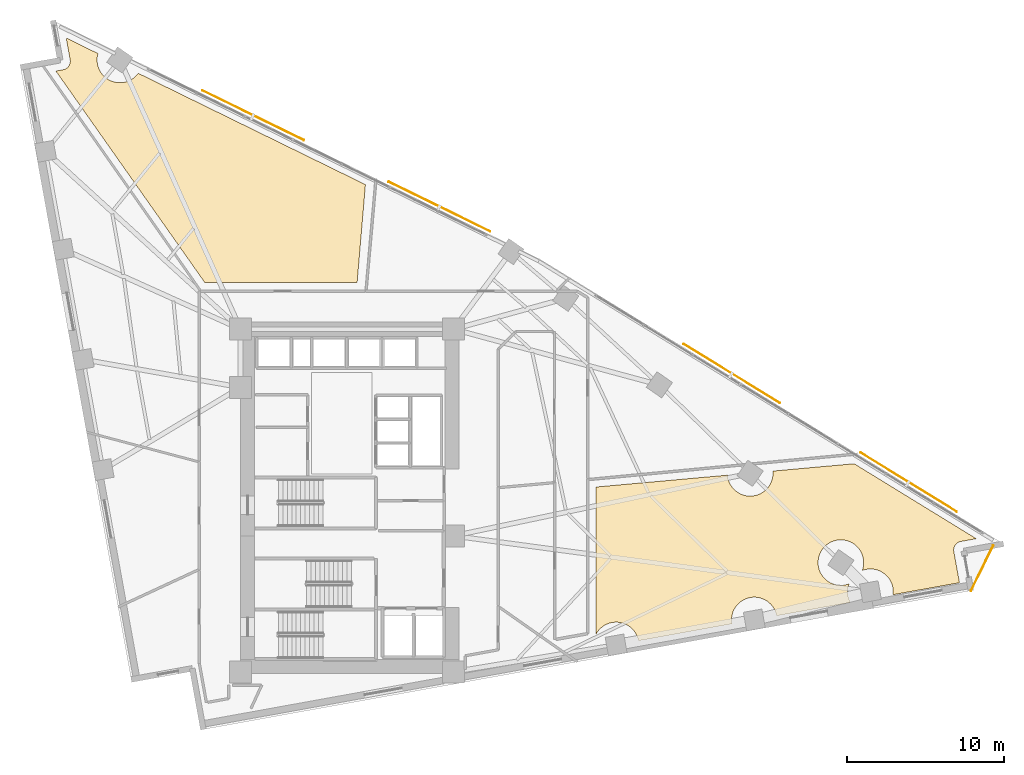
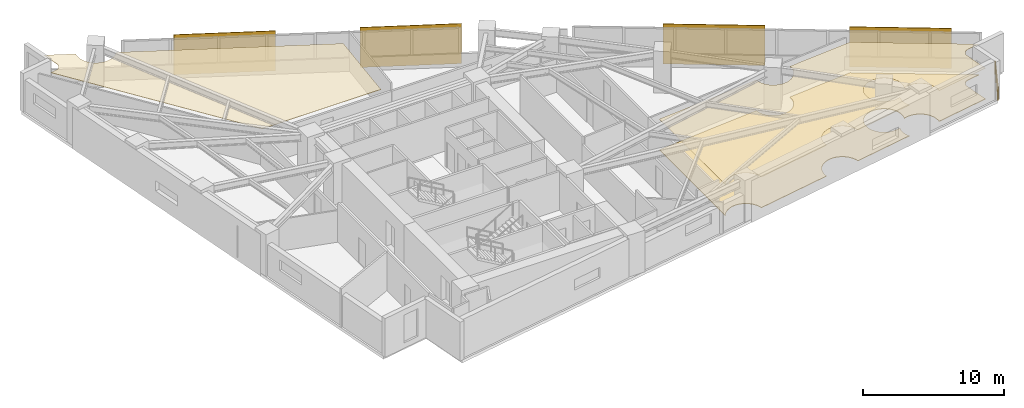
# One storey, part 18 of 18: 4 shading devices, 3 coverings, 1 railing.
"""IFC4 building model written with IfcOpenShell, lengths in metres."""

import ifcopenshell
import ifcopenshell.guid

model = None  # the IFC model being written
_history = None  # IfcOwnerHistory: only IFC2X3 demands one
_inside = {}  # id of a spatial element -> (the spatial element, [elements in it])
_under = {}  # id of a project, library or spatial element -> (it, [spatial elements below it])
_declared = {}  # id of a project -> (the project, [libraries it declares])
_typed = {}  # id of a type object -> (the type object, [elements of that type])
_made_of = {}  # id of a material, layer set ... -> (it, [elements and type objects made of it])


def new_model(schema):
    """Start an empty IFC model of exactly this schema.

    Asked for "IFC4X3", IfcOpenShell would pick the latest addendum, in which some entities
    have other attributes; the version numbers below select the first issue.
    IFC2X3 requires an IfcOwnerHistory on every rooted entity: one is made here for all.
    """
    global model, _history
    if schema == "IFC4X3":
        model = ifcopenshell.file(schema_version=(4, 3, 0, 0))
    else:
        model = ifcopenshell.file(schema=schema)
    _inside.clear()
    _under.clear()
    _declared.clear()
    _typed.clear()
    _made_of.clear()
    _history = None
    if model.schema == "IFC2X3":
        org = make("IfcOrganization", Name="unknown")
        user = make(
            "IfcPersonAndOrganization",
            ThePerson=make("IfcPerson", FamilyName="unknown"),
            TheOrganization=org,
        )
        app = make(
            "IfcApplication",
            ApplicationDeveloper=org,
            Version="unknown",
            ApplicationFullName="unknown",
            ApplicationIdentifier="unknown",
        )
        _history = make(
            "IfcOwnerHistory",
            OwningUser=user,
            OwningApplication=app,
            ChangeAction="ADDED",
            CreationDate=0,
        )
    return model


def make(cls, **values):
    """One entity of the class cls with the attributes given. An attribute that is None is left unset."""
    return model.create_entity(
        cls, **{name: value for name, value in values.items() if value is not None}
    )


def rooted(cls, **values):
    """An entity with a GlobalId (a new one), such as an element, a storey or a relation."""
    return make(cls, GlobalId=ifcopenshell.guid.new(), OwnerHistory=_history, **values)


def si_unit(unit_type, name, prefix=None):
    """IfcSIUnit, for example si_unit("LENGTHUNIT", "METRE", prefix="MILLI")."""
    return make("IfcSIUnit", UnitType=unit_type, Prefix=prefix, Name=name)


def assignment(units):
    """IfcUnitAssignment: the units of a project."""
    return None if units is None else make("IfcUnitAssignment", Units=units)


def point(xyz):
    """IfcCartesianPoint."""
    return None if xyz is None else make("IfcCartesianPoint", Coordinates=xyz)


def direction(xyz):
    """IfcDirection."""
    return None if xyz is None else make("IfcDirection", DirectionRatios=xyz)


def frame(location, z_axis=None, x_axis=None):
    """IfcAxis2Placement3D, a coordinate frame: its origin and axes. An axis left out is left unset."""
    return make(
        "IfcAxis2Placement3D",
        Location=point(location),
        Axis=direction(z_axis),
        RefDirection=direction(x_axis),
    )


def frame_2d(location, x_axis=None):
    """IfcAxis2Placement2D, a coordinate frame in the plane: its origin and x axis."""
    return make(
        "IfcAxis2Placement2D", Location=point(location), RefDirection=direction(x_axis)
    )


def origin():
    """The frame at (0, 0, 0) with its axes left unset."""
    return frame((0.0, 0.0, 0.0))


def origin_2d():
    """The frame at (0, 0) in the plane with its x axis left unset."""
    return frame_2d((0.0, 0.0))


def place(relative_to, where):
    """IfcLocalPlacement: puts the frame where relative to a parent placement (None: the world)."""
    return make(
        "IfcLocalPlacement", PlacementRelTo=relative_to, RelativePlacement=where
    )


def context(
    kind, dimensions, precision=None, world=None, true_north=None, identifier=None
):
    """IfcGeometricRepresentationContext, for example the 3D "Model" context."""
    return make(
        "IfcGeometricRepresentationContext",
        ContextIdentifier=identifier,
        ContextType=kind,
        CoordinateSpaceDimension=dimensions,
        Precision=precision,
        WorldCoordinateSystem=world,
        TrueNorth=true_north,
    )


def subcontext(parent, identifier, kind, view, scale=None):
    """IfcGeometricRepresentationSubContext, for example "Body" below "Model"."""
    return make(
        "IfcGeometricRepresentationSubContext",
        ContextIdentifier=identifier,
        ContextType=kind,
        ParentContext=parent,
        TargetScale=scale,
        TargetView=view,
    )


def project(units=None, contexts=None):
    """IfcProject with its units and contexts."""
    return rooted(
        "IfcProject",
        Name="project",
        RepresentationContexts=contexts,
        UnitsInContext=assignment(units),
    )


def spatial(cls, under=None, at=None, **own):
    """A site, building, storey or space (cls), placed at a placement, below another one or the project."""
    s = rooted(cls, ObjectPlacement=at, **own)
    if under is not None:
        _under.setdefault(under.id(), (under, []))[1].append(s)
    return s


def polyline(points):
    """IfcPolyline through the points."""
    return make("IfcPolyline", Points=[point(p) for p in points])


def profile(cls, at=None, kind="AREA", **sizes):
    """A parametric profile (cls). Its sizes go by their IFC names, for example OverallWidth=200.0."""
    return make(cls, ProfileType=kind, Position=at, **sizes)


def rectangle(**sizes):
    """IfcRectangleProfileDef."""
    return profile("IfcRectangleProfileDef", **sizes)


def circle(**sizes):
    """IfcCircleProfileDef."""
    return profile("IfcCircleProfileDef", **sizes)


def outline(outer, holes=None, kind="AREA"):
    """IfcArbitraryClosedProfileDef: a profile drawn as a closed curve; with holes, ...WithVoids."""
    if holes is None:
        return make("IfcArbitraryClosedProfileDef", ProfileType=kind, OuterCurve=outer)
    return make(
        "IfcArbitraryProfileDefWithVoids",
        ProfileType=kind,
        OuterCurve=outer,
        InnerCurves=holes,
    )


def extrude(swept, where, along, depth):
    """IfcExtrudedAreaSolid: the profile swept, set in the frame where, extruded along a direction by depth."""
    return make(
        "IfcExtrudedAreaSolid",
        SweptArea=swept,
        Position=where,
        ExtrudedDirection=direction(along),
        Depth=depth,
    )


def shape(context_of_items, identifier, shape_type, items):
    """IfcShapeRepresentation: the items that make up one representation, for example the "Body"."""
    return make(
        "IfcShapeRepresentation",
        ContextOfItems=context_of_items,
        RepresentationIdentifier=identifier,
        RepresentationType=shape_type,
        Items=items,
    )


def material(Name=None, Category=None):
    """IfcMaterial."""
    return make("IfcMaterial", Name=Name, Category=Category)


def layer(
    of_material, thickness, ventilated=None, Name=None, Category=None, Priority=None
):
    """IfcMaterialLayer: one layer of a wall or slab, of a material (None: an air gap)."""
    return make(
        "IfcMaterialLayer",
        Material=of_material,
        LayerThickness=thickness,
        IsVentilated=ventilated,
        Name=Name,
        Category=Category,
        Priority=Priority,
    )


def layer_set(layers, Name=None):
    """IfcMaterialLayerSet."""
    return make("IfcMaterialLayerSet", MaterialLayers=layers, LayerSetName=Name)


def made_of(thing, what):
    """Note that an element or type object is made of a material, layer set ...; save() writes the relation."""
    if what is not None:
        _made_of.setdefault(what.id(), (what, []))[1].append(thing)
    return thing


def type_object(cls, material=None, **own):
    """A type object (cls), such as IfcWallType, which elements share."""
    return made_of(rooted(cls, **own), material)


def element(
    cls,
    number,
    at=None,
    inside=None,
    cuts=None,
    type_object=None,
    material=None,
    context=None,
    identifier="Body",
    shape_type=None,
    held_by="IfcProductDefinitionShape",
    body=None,
    shapes=None,
    **own,
):
    """One element of the class cls, such as IfcWall. Its Tag is "e" and its number.

    at: its placement. inside: the storey or other place that contains it. cuts: it is an
    opening in that element (IfcRelVoidsElement). A single representation is given by context,
    identifier, shape_type and body (its items); several are given by shapes. held_by: the class
    of the entity that holds the representations. save() writes the other relations.
    """
    e = rooted(cls, Tag="e%d" % number, ObjectPlacement=at, **own)
    if body is not None:
        shapes = [shape(context, identifier, shape_type, body)]
    if shapes is not None:
        e.Representation = make(held_by, Representations=shapes)
    if inside is not None:
        _inside.setdefault(inside.id(), (inside, []))[1].append(e)
    if cuts is not None:
        rooted(
            "IfcRelVoidsElement", RelatingBuildingElement=cuts, RelatedOpeningElement=e
        )
    if type_object is not None:
        _typed.setdefault(type_object.id(), (type_object, []))[1].append(e)
    return made_of(e, material)


def aggregate(whole, parts):
    """IfcRelAggregates: a whole, such as a stair, and the parts it consists of."""
    return rooted("IfcRelAggregates", RelatingObject=whole, RelatedObjects=parts)


def save(model, path):
    """Write the relations noted so far, then the file.

    IfcRelAggregates (storeys below a building ...), IfcRelContainedInSpatialStructure (elements
    in a storey), IfcRelDefinesByType, IfcRelAssociatesMaterial and IfcRelDeclares: one each for
    every whole, place, type object, material and project.
    """
    for whole, parts in _under.values():
        aggregate(whole, parts)
    for where, things in _inside.values():
        rooted(
            "IfcRelContainedInSpatialStructure",
            RelatedElements=things,
            RelatingStructure=where,
        )
    for kind, things in _typed.values():
        rooted("IfcRelDefinesByType", RelatedObjects=things, RelatingType=kind)
    for what, things in _made_of.values():
        rooted("IfcRelAssociatesMaterial", RelatedObjects=things, RelatingMaterial=what)
    for by, libraries in _declared.values():
        rooted("IfcRelDeclares", RelatingContext=by, RelatedDefinitions=libraries)
    model.write(path)


model = new_model("IFC4")

# Units and contexts
model_context = context("Model", 3, precision=1e-05, world=origin(), true_north=direction((0.0, 1.0)))
body_context = subcontext(model_context, "Body", "Model", "MODEL_VIEW")
ifc_project = project(units=[si_unit("LENGTHUNIT", "METRE"), si_unit("AREAUNIT", "SQUARE_METRE"), si_unit("VOLUMEUNIT", "CUBIC_METRE"), si_unit("PLANEANGLEUNIT", "RADIAN"), si_unit("MASSUNIT", "GRAM", prefix="KILO")], contexts=[model_context])

# Site, building, storey
site_placement = place(None, origin())
site = spatial("IfcSite", under=ifc_project, at=site_placement, CompositionType="ELEMENT")
building_placement = place(site_placement, origin())
building = spatial("IfcBuilding", under=site, at=building_placement, Name="Narakoshi Arena Tower", CompositionType="ELEMENT")
storey_placement = place(building_placement, frame((0.0, 0.0, 102.89990234375)))
storey = spatial("IfcBuildingStorey", under=building, at=storey_placement, Name="L27", CompositionType="ELEMENT", Elevation=102.89990234375)

# Coverings
ifc_material_1 = material(Name="Acoustic mineral-fibre ceiling tile")
ifc_layer_1 = layer(ifc_material_1, 0.02001953125)
ifc_layer_set_1 = layer_set([ifc_layer_1], Name="Acoustic mineral-fibre ceiling tile")
covering_type_1 = type_object("IfcCoveringType", Name="COV-CLG-AC20", PredefinedType="CEILING", material=ifc_layer_set_1)
covering_1_placement = place(storey_placement, frame((0.0, 0.0, 2.670166015625)))
element("IfcCovering", 1, at=covering_1_placement, inside=storey, type_object=covering_type_1, Name="L27 Suspended Acoustic Ceiling 1", PredefinedType="CEILING", context=body_context, shape_type="SweptSolid", body=[
    extrude(outline(polyline([(94.623779296875, 37.130126953125), (94.623779296875, 46.4619140625), (102.976318359375, 47.214599609375), (102.9775390625, 47.1884765625), (102.998291015625, 47.047607421875), (103.032958984375, 46.90966796875), (103.080810546875, 46.775634765625), (103.1416015625, 46.64697265625), (103.21484375, 46.52490234375), (103.299560546875, 46.41064453125), (103.395263671875, 46.30517578125), (103.50048828125, 46.209716796875), (103.614990234375, 46.125), (103.737060546875, 46.0517578125), (103.865478515625, 45.990966796875), (103.99951171875, 45.94287109375), (104.1376953125, 45.908447265625), (104.2783203125, 45.887451171875), (104.42041015625, 45.880615234375), (104.5625, 45.887451171875), (104.703369140625, 45.908447265625), (104.84130859375, 45.94287109375), (104.975341796875, 45.990966796875), (105.10400390625, 46.0517578125), (105.22607421875, 46.125), (105.34033203125, 46.209716796875), (105.44580078125, 46.30517578125), (105.54150390625, 46.41064453125), (105.626220703125, 46.52490234375), (105.69921875, 46.64697265625), (105.760009765625, 46.775634765625), (105.80810546875, 46.90966796875), (105.842529296875, 47.047607421875), (105.863525390625, 47.1884765625), (105.87060546875, 47.33056640625), (105.863525390625, 47.47265625), (105.86328125, 47.474853515625), (111.036376953125, 47.941162109375), (118.80029296875, 43.172607421875), (117.8193359375, 42.995361328125), (117.766845703125, 42.983154296875), (117.715576171875, 42.9658203125), (117.66650390625, 42.943603515625), (117.61962890625, 42.916748046875), (117.57568359375, 42.88525390625), (117.53515625, 42.849609375), (117.498291015625, 42.810302734375), (117.46533203125, 42.767578125), (117.436767578125, 42.7216796875), (117.412841796875, 42.67333984375), (117.393798828125, 42.622802734375), (117.379638671875, 42.57080078125), (117.370849609375, 42.517578125), (117.3671875, 42.463623046875), (117.368896484375, 42.409912109375), (117.3759765625, 42.356201171875), (117.734619140625, 40.372314453125), (113.506103515625, 39.607421875), (113.51318359375, 39.65576171875), (113.520263671875, 39.7978515625), (113.51318359375, 39.93994140625), (113.492431640625, 40.080810546875), (113.4580078125, 40.21875), (113.409912109375, 40.352783203125), (113.34912109375, 40.4814453125), (113.27587890625, 40.603515625), (113.191162109375, 40.7177734375), (113.095703125, 40.8232421875), (112.990234375, 40.918701171875), (112.8759765625, 41.00341796875), (112.75390625, 41.07666015625), (112.625244140625, 41.137451171875), (112.4912109375, 41.185546875), (112.353271484375, 41.219970703125), (112.21240234375, 41.240966796875), (112.0703125, 41.247802734375), (111.92822265625, 41.240966796875), (111.787353515625, 41.219970703125), (111.6494140625, 41.185546875), (111.548095703125, 41.149169921875), (111.576904296875, 41.229248046875), (111.611328125, 41.3671875), (111.632080078125, 41.508056640625), (111.63916015625, 41.650146484375), (111.632080078125, 41.792236328125), (111.611328125, 41.93310546875), (111.576904296875, 42.071044921875), (111.52880859375, 42.205078125), (111.468017578125, 42.333740234375), (111.394775390625, 42.455810546875), (111.31005859375, 42.570068359375), (111.214599609375, 42.675537109375), (111.109130859375, 42.77099609375), (110.994873046875, 42.855712890625), (110.872802734375, 42.928955078125), (110.744140625, 42.98974609375), (110.610107421875, 43.037841796875), (110.47216796875, 43.072265625), (110.331298828125, 43.09326171875), (110.189208984375, 43.10009765625), (110.047119140625, 43.09326171875), (109.90625, 43.072265625), (109.768310546875, 43.037841796875), (109.63427734375, 42.98974609375), (109.505615234375, 42.928955078125), (109.383544921875, 42.855712890625), (109.269287109375, 42.77099609375), (109.163818359375, 42.675537109375), (109.068359375, 42.570068359375), (108.983642578125, 42.455810546875), (108.910400390625, 42.333740234375), (108.849609375, 42.205078125), (108.801513671875, 42.071044921875), (108.76708984375, 41.93310546875), (108.74609375, 41.792236328125), (108.7392578125, 41.650146484375), (108.74609375, 41.508056640625), (108.76708984375, 41.3671875), (108.801513671875, 41.229248046875), (108.849609375, 41.09521484375), (108.910400390625, 40.966796875), (108.983642578125, 40.844482421875), (109.068359375, 40.730224609375), (109.163818359375, 40.625), (109.269287109375, 40.529296875), (109.383544921875, 40.444580078125), (109.505615234375, 40.371337890625), (109.63427734375, 40.310546875), (109.768310546875, 40.2626953125), (109.90625, 40.22802734375), (110.047119140625, 40.207275390625), (110.189208984375, 40.2001953125), (110.331298828125, 40.207275390625), (110.47216796875, 40.22802734375), (110.610107421875, 40.2626953125), (110.71142578125, 40.298828125), (110.6826171875, 40.21875), (110.648193359375, 40.080810546875), (110.627197265625, 39.93994140625), (110.620361328125, 39.7978515625), (110.627197265625, 39.65576171875), (110.648193359375, 39.514892578125), (110.6826171875, 39.376953125), (110.730712890625, 39.242919921875), (110.79052734375, 39.116455078125), (106.105712890625, 38.269287109375), (106.103515625, 38.284423828125), (106.06884765625, 38.42236328125), (106.02099609375, 38.556396484375), (105.960205078125, 38.68505859375), (105.886962890625, 38.80712890625), (105.80224609375, 38.92138671875), (105.70654296875, 39.02685546875), (105.601318359375, 39.122314453125), (105.48681640625, 39.20703125), (105.36474609375, 39.2802734375), (105.236083984375, 39.341064453125), (105.102294921875, 39.38916015625), (104.964111328125, 39.423583984375), (104.823486328125, 39.444580078125), (104.681396484375, 39.451416015625), (104.539306640625, 39.444580078125), (104.3984375, 39.423583984375), (104.260498046875, 39.38916015625), (104.12646484375, 39.341064453125), (103.997802734375, 39.2802734375), (103.875732421875, 39.20703125), (103.761474609375, 39.122314453125), (103.656005859375, 39.02685546875), (103.560302734375, 38.92138671875), (103.4755859375, 38.80712890625), (103.402587890625, 38.68505859375), (103.341796875, 38.556396484375), (103.293701171875, 38.42236328125), (103.25927734375, 38.284423828125), (103.23828125, 38.1435546875), (103.231201171875, 38.00146484375), (103.23828125, 37.859375), (103.25390625, 37.753662109375), (97.314453125, 36.679443359375), (97.312255859375, 36.694580078125), (97.277587890625, 36.832763671875), (97.229736328125, 36.966796875), (97.1689453125, 37.09521484375), (97.095703125, 37.21728515625), (97.010986328125, 37.331787109375), (96.915283203125, 37.43701171875), (96.81005859375, 37.53271484375), (96.69580078125, 37.617431640625), (96.573486328125, 37.690673828125), (96.445068359375, 37.75146484375), (96.31103515625, 37.79931640625), (96.173095703125, 37.833984375), (96.0322265625, 37.854736328125), (95.89013671875, 37.86181640625), (95.748046875, 37.854736328125), (95.607177734375, 37.833984375), (95.46923828125, 37.79931640625), (95.335205078125, 37.75146484375), (95.20654296875, 37.690673828125), (95.08447265625, 37.617431640625), (94.97021484375, 37.53271484375), (94.86474609375, 37.43701171875), (94.769287109375, 37.331787109375), (94.6845703125, 37.21728515625), (94.622802734375, 37.11474609375), (94.623779296875, 37.130126953125)])), origin(), (0.0, 0.0, 1.0), 0.02001953125),
])
ifc_material_2 = material(Name="Slatted oak acoustic timber baffle", Category="wood")
ifc_layer_2 = layer(ifc_material_2, 0.034912109375)
ifc_layer_set_2 = layer_set([ifc_layer_2], Name="Slatted oak acoustic timber baffle")
covering_type_2 = type_object("IfcCoveringType", Name="COV-CLG-WD35", PredefinedType="CEILING", material=ifc_layer_set_2)
covering_2_placement = place(storey_placement, frame((0.0, 0.0, 2.655029296875)))
element("IfcCovering", 2, at=covering_2_placement, inside=storey, type_object=covering_type_2, Name="L27 Suspended Acoustic Ceiling 2", PredefinedType="CEILING", context=body_context, shape_type="SweptSolid", body=[
    extrude(outline(polyline([(60.76611328125, 73.0205078125), (60.8173828125, 73.037841796875), (60.866455078125, 73.06005859375), (60.9130859375, 73.0869140625), (60.95703125, 73.118408203125), (60.997802734375, 73.154052734375), (61.03466796875, 73.193359375), (61.067626953125, 73.236083984375), (61.09619140625, 73.281982421875), (61.1201171875, 73.330322265625), (61.13916015625, 73.380859375), (61.1533203125, 73.432861328125), (61.162109375, 73.486083984375), (61.16552734375, 73.5400390625), (61.163818359375, 73.593994140625), (61.156982421875, 73.6474609375), (60.90771484375, 75.025390625), (62.92578125, 74.03662109375), (62.895751953125, 73.916015625), (62.874755859375, 73.775146484375), (62.867919921875, 73.633056640625), (62.874755859375, 73.490966796875), (62.895751953125, 73.35009765625), (62.93017578125, 73.212158203125), (62.978271484375, 73.078125), (63.0390625, 72.949462890625), (63.1123046875, 72.827392578125), (63.197021484375, 72.713134765625), (63.29248046875, 72.607666015625), (63.39794921875, 72.51220703125), (63.51220703125, 72.427490234375), (63.63427734375, 72.354248046875), (63.762939453125, 72.29345703125), (63.89697265625, 72.245361328125), (64.034912109375, 72.2109375), (64.17578125, 72.18994140625), (64.31787109375, 72.18310546875), (64.4599609375, 72.18994140625), (64.6005859375, 72.2109375), (64.73876953125, 72.245361328125), (64.872802734375, 72.29345703125), (65.001220703125, 72.354248046875), (65.123291015625, 72.427490234375), (65.23779296875, 72.51220703125), (65.343017578125, 72.607666015625), (65.438720703125, 72.713134765625), (65.48876953125, 72.78076171875), (79.94140625, 65.69921875), (79.412841796875, 59.468994140625), (69.721923828125, 59.468994140625), (60.247802734375, 72.92431640625), (60.713623046875, 73.00830078125), (60.76611328125, 73.0205078125)])), origin(), (0.0, 0.0, 1.0), 0.03515625),
])
ifc_material_3 = material(Name="Raised steel access floor panel", Category="steel")
ifc_layer_3 = layer(ifc_material_3, 0.044921875)
ifc_layer_set_3 = layer_set([ifc_layer_3], Name="Raised steel access floor panel")
covering_type_3 = type_object("IfcCoveringType", Name="COV-FLR-RF45", PredefinedType="FLOORING", material=ifc_layer_set_3)
covering_3_placement = place(storey_placement, origin())
element("IfcCovering", 3, at=covering_3_placement, inside=storey, type_object=covering_type_3, Name="L27 Raised Steel Access Floor", PredefinedType="FLOORING", context=body_context, shape_type="SweptSolid", body=[
    extrude(outline(polyline([(94.623779296875, 37.130126953125), (94.623779296875, 46.4619140625), (102.976318359375, 47.214599609375), (102.9775390625, 47.1884765625), (102.998291015625, 47.047607421875), (103.032958984375, 46.90966796875), (103.080810546875, 46.775634765625), (103.1416015625, 46.64697265625), (103.21484375, 46.52490234375), (103.299560546875, 46.41064453125), (103.395263671875, 46.30517578125), (103.50048828125, 46.209716796875), (103.614990234375, 46.125), (103.737060546875, 46.0517578125), (103.865478515625, 45.990966796875), (103.99951171875, 45.94287109375), (104.1376953125, 45.908447265625), (104.2783203125, 45.887451171875), (104.42041015625, 45.880615234375), (104.5625, 45.887451171875), (104.703369140625, 45.908447265625), (104.84130859375, 45.94287109375), (104.975341796875, 45.990966796875), (105.10400390625, 46.0517578125), (105.22607421875, 46.125), (105.34033203125, 46.209716796875), (105.44580078125, 46.30517578125), (105.54150390625, 46.41064453125), (105.626220703125, 46.52490234375), (105.69921875, 46.64697265625), (105.760009765625, 46.775634765625), (105.80810546875, 46.90966796875), (105.842529296875, 47.047607421875), (105.863525390625, 47.1884765625), (105.87060546875, 47.33056640625), (105.863525390625, 47.47265625), (105.86328125, 47.474853515625), (111.036376953125, 47.941162109375), (118.80029296875, 43.172607421875), (117.8193359375, 42.995361328125), (117.766845703125, 42.983154296875), (117.715576171875, 42.9658203125), (117.66650390625, 42.943603515625), (117.61962890625, 42.916748046875), (117.57568359375, 42.88525390625), (117.53515625, 42.849609375), (117.498291015625, 42.810302734375), (117.46533203125, 42.767578125), (117.436767578125, 42.7216796875), (117.412841796875, 42.67333984375), (117.393798828125, 42.622802734375), (117.379638671875, 42.57080078125), (117.370849609375, 42.517578125), (117.3671875, 42.463623046875), (117.368896484375, 42.409912109375), (117.3759765625, 42.356201171875), (117.734619140625, 40.372314453125), (113.506103515625, 39.607421875), (113.51318359375, 39.65576171875), (113.520263671875, 39.7978515625), (113.51318359375, 39.93994140625), (113.492431640625, 40.080810546875), (113.4580078125, 40.21875), (113.409912109375, 40.352783203125), (113.34912109375, 40.4814453125), (113.27587890625, 40.603515625), (113.191162109375, 40.7177734375), (113.095703125, 40.8232421875), (112.990234375, 40.918701171875), (112.8759765625, 41.00341796875), (112.75390625, 41.07666015625), (112.625244140625, 41.137451171875), (112.4912109375, 41.185546875), (112.353271484375, 41.219970703125), (112.21240234375, 41.240966796875), (112.0703125, 41.247802734375), (111.92822265625, 41.240966796875), (111.787353515625, 41.219970703125), (111.6494140625, 41.185546875), (111.548095703125, 41.149169921875), (111.576904296875, 41.229248046875), (111.611328125, 41.3671875), (111.632080078125, 41.508056640625), (111.63916015625, 41.650146484375), (111.632080078125, 41.792236328125), (111.611328125, 41.93310546875), (111.576904296875, 42.071044921875), (111.52880859375, 42.205078125), (111.468017578125, 42.333740234375), (111.394775390625, 42.455810546875), (111.31005859375, 42.570068359375), (111.214599609375, 42.675537109375), (111.109130859375, 42.77099609375), (110.994873046875, 42.855712890625), (110.872802734375, 42.928955078125), (110.744140625, 42.98974609375), (110.610107421875, 43.037841796875), (110.47216796875, 43.072265625), (110.331298828125, 43.09326171875), (110.189208984375, 43.10009765625), (110.047119140625, 43.09326171875), (109.90625, 43.072265625), (109.768310546875, 43.037841796875), (109.63427734375, 42.98974609375), (109.505615234375, 42.928955078125), (109.383544921875, 42.855712890625), (109.269287109375, 42.77099609375), (109.163818359375, 42.675537109375), (109.068359375, 42.570068359375), (108.983642578125, 42.455810546875), (108.910400390625, 42.333740234375), (108.849609375, 42.205078125), (108.801513671875, 42.071044921875), (108.76708984375, 41.93310546875), (108.74609375, 41.792236328125), (108.7392578125, 41.650146484375), (108.74609375, 41.508056640625), (108.76708984375, 41.3671875), (108.801513671875, 41.229248046875), (108.849609375, 41.09521484375), (108.910400390625, 40.966796875), (108.983642578125, 40.844482421875), (109.068359375, 40.730224609375), (109.163818359375, 40.625), (109.269287109375, 40.529296875), (109.383544921875, 40.444580078125), (109.505615234375, 40.371337890625), (109.63427734375, 40.310546875), (109.768310546875, 40.2626953125), (109.90625, 40.22802734375), (110.047119140625, 40.207275390625), (110.189208984375, 40.2001953125), (110.331298828125, 40.207275390625), (110.47216796875, 40.22802734375), (110.610107421875, 40.2626953125), (110.71142578125, 40.298828125), (110.6826171875, 40.21875), (110.648193359375, 40.080810546875), (110.627197265625, 39.93994140625), (110.620361328125, 39.7978515625), (110.627197265625, 39.65576171875), (110.648193359375, 39.514892578125), (110.6826171875, 39.376953125), (110.730712890625, 39.242919921875), (110.79052734375, 39.116455078125), (106.105712890625, 38.269287109375), (106.103515625, 38.284423828125), (106.06884765625, 38.42236328125), (106.02099609375, 38.556396484375), (105.960205078125, 38.68505859375), (105.886962890625, 38.80712890625), (105.80224609375, 38.92138671875), (105.70654296875, 39.02685546875), (105.601318359375, 39.122314453125), (105.48681640625, 39.20703125), (105.36474609375, 39.2802734375), (105.236083984375, 39.341064453125), (105.102294921875, 39.38916015625), (104.964111328125, 39.423583984375), (104.823486328125, 39.444580078125), (104.681396484375, 39.451416015625), (104.539306640625, 39.444580078125), (104.3984375, 39.423583984375), (104.260498046875, 39.38916015625), (104.12646484375, 39.341064453125), (103.997802734375, 39.2802734375), (103.875732421875, 39.20703125), (103.761474609375, 39.122314453125), (103.656005859375, 39.02685546875), (103.560302734375, 38.92138671875), (103.4755859375, 38.80712890625), (103.402587890625, 38.68505859375), (103.341796875, 38.556396484375), (103.293701171875, 38.42236328125), (103.25927734375, 38.284423828125), (103.23828125, 38.1435546875), (103.231201171875, 38.00146484375), (103.23828125, 37.859375), (103.25390625, 37.753662109375), (97.314453125, 36.679443359375), (97.312255859375, 36.694580078125), (97.277587890625, 36.832763671875), (97.229736328125, 36.966796875), (97.1689453125, 37.09521484375), (97.095703125, 37.21728515625), (97.010986328125, 37.331787109375), (96.915283203125, 37.43701171875), (96.81005859375, 37.53271484375), (96.69580078125, 37.617431640625), (96.573486328125, 37.690673828125), (96.445068359375, 37.75146484375), (96.31103515625, 37.79931640625), (96.173095703125, 37.833984375), (96.0322265625, 37.854736328125), (95.89013671875, 37.86181640625), (95.748046875, 37.854736328125), (95.607177734375, 37.833984375), (95.46923828125, 37.79931640625), (95.335205078125, 37.75146484375), (95.20654296875, 37.690673828125), (95.08447265625, 37.617431640625), (94.97021484375, 37.53271484375), (94.86474609375, 37.43701171875), (94.769287109375, 37.331787109375), (94.6845703125, 37.21728515625), (94.622802734375, 37.11474609375), (94.623779296875, 37.130126953125)])), origin(), (0.0, 0.0, 1.0), 0.045166015625),
])

# Railing
ifc_material_4 = material(Name="Brushed bronze stainless steel", Category="steel")
railing_type = type_object("IfcRailingType", Name="RL-GRD-1150", PredefinedType="GUARDRAIL", material=ifc_material_4)
railing_placement = place(storey_placement, frame((118.466796875, 39.8642578125, 0.0)))
element("IfcRailing", 4, at=railing_placement, inside=storey, type_object=railing_type, Name="L27 Corner Loggia Balcony Guardrail", PredefinedType="GUARDRAIL", context=body_context, shape_type="SweptSolid", body=[
    extrude(circle(Radius=0.02392578125, at=origin_2d()), frame((0.0, 0.0, 1.1259765625), z_axis=(0.442312707184, 0.896860897277, 0.0), x_axis=(-0.896860897277, 0.442312707184, 0.0)), (0.0, 0.0, 1.0), 3.192626953125),
    extrude(circle(Radius=0.02099609375, at=origin_2d()), origin(), (0.0, 0.0, 1.0), 1.101806640625),
    extrude(circle(Radius=0.02099609375, at=origin_2d()), frame((0.470703125, 0.954345703125, 0.0)), (0.0, 0.0, 1.0), 1.101806640625),
    extrude(circle(Radius=0.02099609375, at=origin_2d()), frame((0.94140625, 1.908935546875, 0.0)), (0.0, 0.0, 1.0), 1.101806640625),
    extrude(circle(Radius=0.02099609375, at=origin_2d()), frame((1.412109375, 2.86328125, 0.0)), (0.0, 0.0, 1.0), 1.101806640625),
])

# Shading devices
ifc_material_5 = material(Name="Perforated bronze ceramic-metal composite")
ifc_layer_4 = layer(ifc_material_5, 0.044921875)
ifc_layer_set_4 = layer_set([ifc_layer_4], Name="Perforated bronze ceramic-metal composite")
shading_device_type = type_object("IfcShadingDeviceType", Name="SHD-SCR-BRZ1", PredefinedType="USERDEFINED", material=ifc_layer_set_4)
for number, where, z_axis, x_axis, name in (
    (5, (114.495849609375, 46.77001953125, 0.0), (0.0, 0.0, 1.0), (-0.852110807003, 0.523361416794, 0.0), "L27 Perforated Bronze Solar Screen 1-1"),
    (6, (103.247802734375, 53.67822265625, 0.0), (0.0, 0.0, 1.0), (-0.852110807003, 0.523361416794, 0.0), "L27 Perforated Bronze Solar Screen 1-2"),
    (7, (84.6494140625, 64.297119140625, 0.0), (0.0, 0.0, 1.0), (-0.897996860024, 0.440001862936, 0.0), "L27 Perforated Bronze Solar Screen 2-1"),
    (8, (72.7958984375, 70.105224609375, 0.0), (0.0, 0.0, 1.0), (-0.897996860024, 0.440001862936, 0.0), "L27 Perforated Bronze Solar Screen 2-2"),
):
    element("IfcShadingDevice", number, at=place(storey_placement, frame(where, z_axis=z_axis, x_axis=x_axis)), inside=storey, type_object=shading_device_type, Name=name, ObjectType="SOLAR SCREEN", PredefinedType="USERDEFINED", context=body_context, shape_type="SweptSolid", body=[
        extrude(rectangle(XDim=7.199951171875, YDim=0.044921875, at=origin_2d()), origin(), (0.0, 0.0, 1.0), 3.449951171875),
    ])

save(model, "model.ifc")
